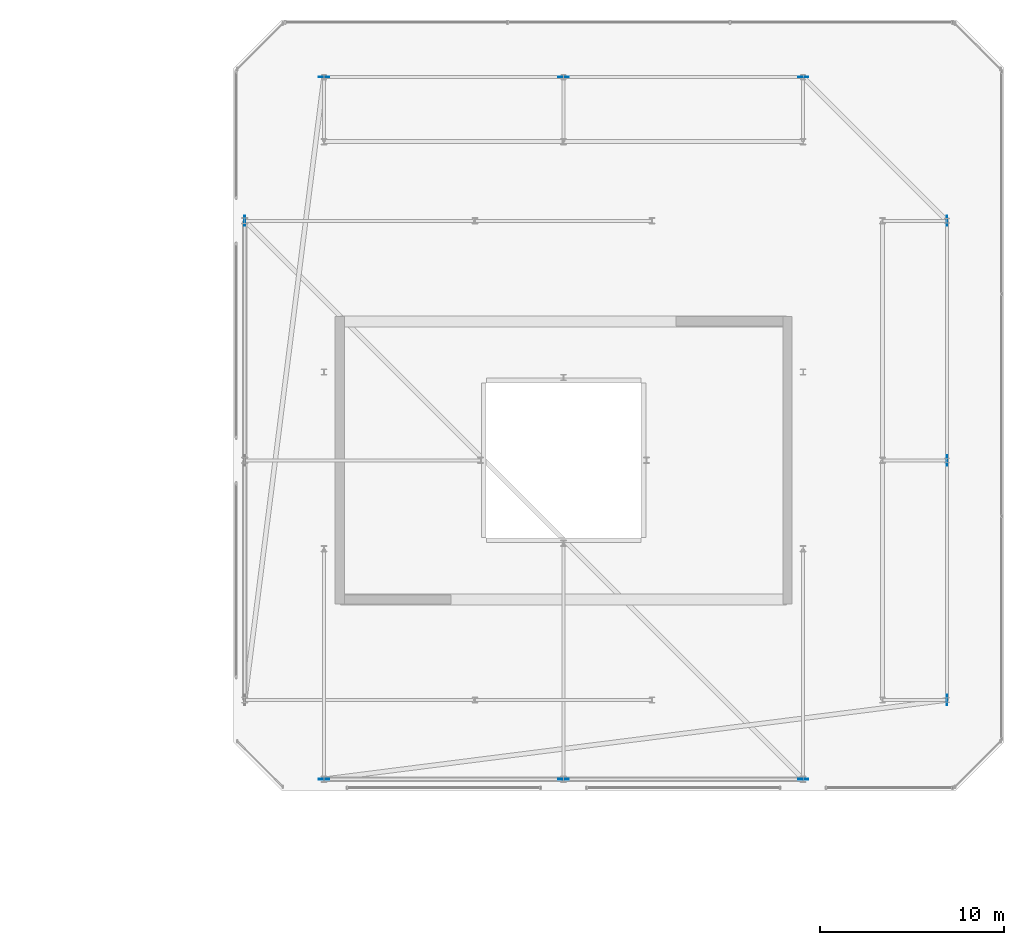
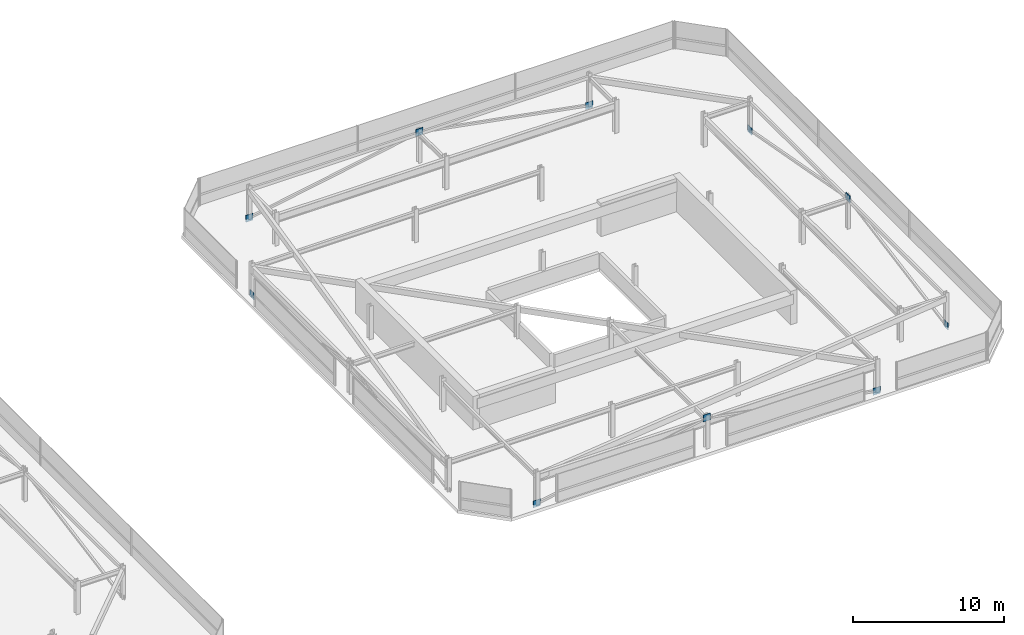
# One storey, part 43 of 44: 10 plates.
"""IFC4 building model written with IfcOpenShell, lengths in metres."""

from ifc_helpers import new_model, si_unit, direction, frame, origin, origin_2d, place, context, subcontext, project, spatial, rectangle, extrude, material, layer, layer_set, type_object, element, save


model = new_model("IFC4")

# Units and contexts
model_context = context("Model", 3, precision=1e-05, world=origin(), true_north=direction((0.0, 1.0)))
body_context = subcontext(model_context, "Body", "Model", "MODEL_VIEW")
ifc_project = project(units=[si_unit("LENGTHUNIT", "METRE"), si_unit("AREAUNIT", "SQUARE_METRE"), si_unit("VOLUMEUNIT", "CUBIC_METRE"), si_unit("PLANEANGLEUNIT", "RADIAN"), si_unit("MASSUNIT", "GRAM", prefix="KILO")], contexts=[model_context])

# Site, building, storey
site_placement = place(None, origin())
site = spatial("IfcSite", under=ifc_project, at=site_placement, CompositionType="ELEMENT")
building_placement = place(site_placement, origin())
building = spatial("IfcBuilding", under=site, at=building_placement, Name="Thornwick Lancets Civic Towers", CompositionType="ELEMENT")
storey_placement = place(building_placement, frame((0.0, 0.0, 294.89990234375)))
storey = spatial("IfcBuildingStorey", under=building, at=storey_placement, Name="C06", CompositionType="ELEMENT", Elevation=294.89990234375)

# Plates
ifc_material = material(Name="Steel S460M", Category="steel")
ifc_layer = layer(ifc_material, 0.0400390625, Name="Steel S460M")
ifc_layer_set = layer_set([ifc_layer], Name="Steel S460M")
plate_type = type_object("IfcPlateType", Name="PLT_GUSSET_40", PredefinedType="USERDEFINED", material=ifc_layer_set)
for number, where, z_axis, x_axis, name in (
    (1, (109.300048828125, 14.0, -0.22509765625), (0.0, 0.0, 1.0), (0.0, 1.0, 0.0), "C06 Brace Connection Gusset Plate 0569"),
    (2, (109.300048828125, 27.0, 2.1650390625), (0.0, 0.0, 1.0), (0.0, 1.0, 0.0), "C06 Brace Connection Gusset Plate 0570"),
    (3, (109.300048828125, 40.0, -0.22509765625), (0.0, 0.0, 1.0), (0.0, -1.0, 0.0), "C06 Brace Connection Gusset Plate 0571"),
    (4, (101.5, 47.800048828125, -0.22509765625), (0.0, 0.0, 1.0), (-1.0, 0.0, 0.0), "C06 Brace Connection Gusset Plate 0572"),
    (5, (88.5, 47.800048828125, 2.1650390625), (0.0, 0.0, 1.0), (-1.0, 0.0, 0.0), "C06 Brace Connection Gusset Plate 0573"),
    (6, (75.5, 47.800048828125, -0.22509765625), (0.0, 0.0, 1.0), (1.0, 0.0, 0.0), "C06 Brace Connection Gusset Plate 0574"),
    (7, (71.199951171875, 40.0, -0.22509765625), (0.0, 0.0, 1.0), (0.0, -1.0, 0.0), "C06 Brace Connection Gusset Plate 0577"),
    (8, (101.5, 9.699951171875, -0.22509765625), (0.0, 0.0, 1.0), (-1.0, 0.0, 0.0), "C06 Brace Connection Gusset Plate 0578"),
    (9, (88.5, 9.699951171875, 2.1650390625), (0.0, 0.0, 1.0), (-1.0, 0.0, 0.0), "C06 Brace Connection Gusset Plate 0579"),
    (10, (75.5, 9.699951171875, -0.22509765625), (0.0, 0.0, 1.0), (1.0, 0.0, 0.0), "C06 Brace Connection Gusset Plate 0580"),
):
    element("IfcPlate", number, at=place(storey_placement, frame(where, z_axis=z_axis, x_axis=x_axis)), inside=storey, type_object=plate_type, Name=name, ObjectType="GUSSET_PLATE", PredefinedType="USERDEFINED", context=body_context, shape_type="SweptSolid", body=[
        extrude(rectangle(XDim=0.550048828125, YDim=0.0400390625, at=origin_2d()), origin(), (0.0, 0.0, 1.0), 0.550048828125),
    ])

save(model, "model.ifc")
